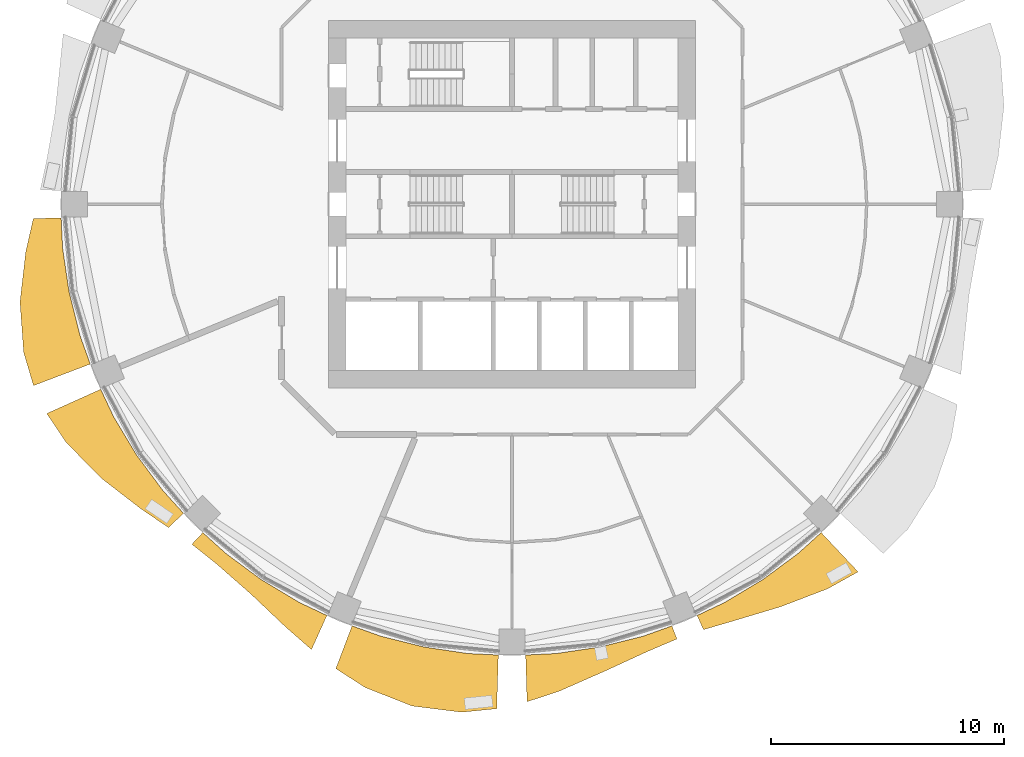
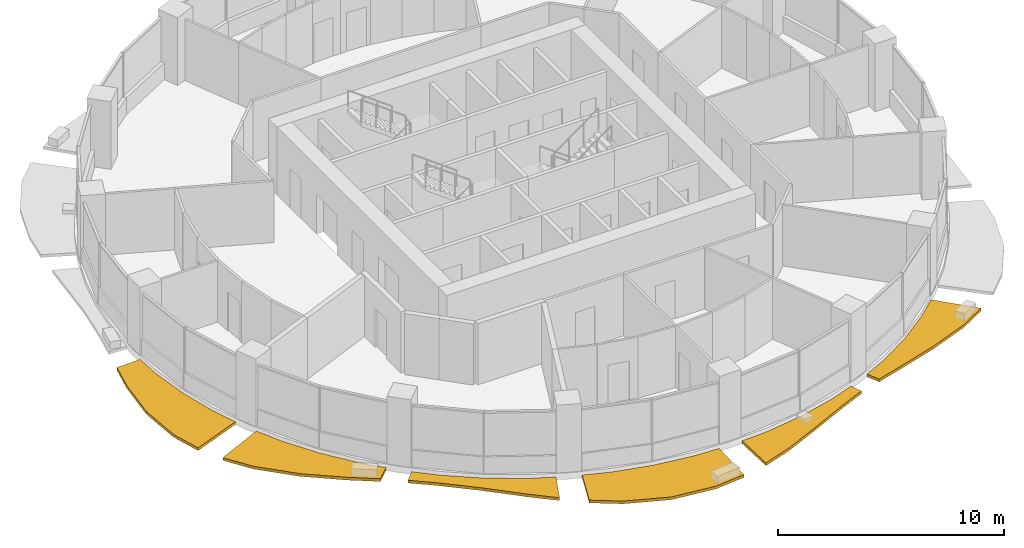
# One storey, part 11 of 14: 6 shading devices.
"""IFC4 building model written with IfcOpenShell, lengths in metres."""

from ifc_helpers import new_model, si_unit, direction, frame, origin, place, context, subcontext, project, spatial, polyline, outline, extrude, material, type_object, element, save


model = new_model("IFC4")

# Units and contexts
model_context = context("Model", 3, precision=1e-05, world=origin(), true_north=direction((0.0, 1.0)))
body_context = subcontext(model_context, "Body", "Model", "MODEL_VIEW")
ifc_project = project(units=[si_unit("LENGTHUNIT", "METRE"), si_unit("AREAUNIT", "SQUARE_METRE"), si_unit("VOLUMEUNIT", "CUBIC_METRE"), si_unit("PLANEANGLEUNIT", "RADIAN"), si_unit("MASSUNIT", "GRAM", prefix="KILO")], contexts=[model_context])

# Site, building, storey
site_placement = place(None, origin())
site = spatial("IfcSite", under=ifc_project, at=site_placement, CompositionType="ELEMENT")
building_placement = place(site_placement, origin())
building = spatial("IfcBuilding", under=site, at=building_placement, Name="Polderwave Tower", CompositionType="ELEMENT")
storey_placement = place(building_placement, frame((0.0, 0.0, 91.0)))
storey = spatial("IfcBuildingStorey", under=building, at=storey_placement, Name="L23", CompositionType="ELEMENT", Elevation=91.0)

# Shading devices
ifc_material = material(Name="Terracotta", Category="masonry")
shading_device_type = type_object("IfcShadingDeviceType", Name="Terracotta sunshade band", PredefinedType="USERDEFINED", material=ifc_material)
shading_device_1_placement = place(storey_placement, frame((0.0, 0.0, -0.35009765625)))
element("IfcShadingDevice", 1, at=shading_device_1_placement, inside=storey, type_object=shading_device_type, Name="Sunshade band L23 9", ObjectType="SUNSHADE", PredefinedType="USERDEFINED", context=body_context, shape_type="SweptSolid", body=[
    extrude(outline(polyline([(-19.3212890625, -0.583984375), (-19.2568359375, -1.896484375), (-18.978271484375, -3.77490234375), (-18.516845703125, -5.616943359375), (-18.073974609375, -6.8544921875), (-20.5048828125, -7.776611328125), (-20.92822265625, -6.348388671875), (-21.083984375, -4.19384765625), (-20.8388671875, -2.052490234375), (-20.5146484375, -0.6201171875), (-19.3212890625, -0.583984375)])), origin(), (0.0, 0.0, 1.0), 0.150146484375),
])
shading_device_2_placement = place(storey_placement, frame((0.0, 0.0, -0.35009765625)))
element("IfcShadingDevice", 2, at=shading_device_2_placement, inside=storey, type_object=shading_device_type, Name="Sunshade band L23 10", ObjectType="SUNSHADE", PredefinedType="USERDEFINED", context=body_context, shape_type="SweptSolid", body=[
    extrude(outline(polyline([(-17.627197265625, -7.933349609375), (-17.065185546875, -9.12158203125), (-16.0888671875, -10.750244140625), (-14.957763671875, -12.275390625), (-14.0751953125, -13.24951171875), (-14.722900390625, -13.859130859375), (-15.906005859375, -13.0537109375), (-17.58984375, -11.753173828125), (-19.106201171875, -10.21240234375), (-19.937255859375, -8.97314453125), (-17.627197265625, -7.933349609375)])), origin(), (0.0, 0.0, 1.0), 0.150146484375),
])
shading_device_3_placement = place(storey_placement, frame((0.0, 0.0, -0.35009765625)))
element("IfcShadingDevice", 3, at=shading_device_3_placement, inside=storey, type_object=shading_device_type, Name="Sunshade band L23 11", ObjectType="SUNSHADE", PredefinedType="USERDEFINED", context=body_context, shape_type="SweptSolid", body=[
    extrude(outline(polyline([(-13.24951171875, -14.0751953125), (-12.275390625, -14.957763671875), (-10.750244140625, -16.0888671875), (-9.12158203125, -17.065185546875), (-7.933349609375, -17.627197265625), (-8.592041015625, -19.090576171875), (-9.69091796875, -18.13037109375), (-11.174072265625, -16.72314453125), (-12.65625, -15.421630859375), (-13.7197265625, -14.57470703125), (-13.24951171875, -14.0751953125)])), origin(), (0.0, 0.0, 1.0), 0.150146484375),
])
shading_device_4_placement = place(storey_placement, frame((0.0, 0.0, -0.35009765625)))
element("IfcShadingDevice", 4, at=shading_device_4_placement, inside=storey, type_object=shading_device_type, Name="Sunshade band L23 12", ObjectType="SUNSHADE", PredefinedType="USERDEFINED", context=body_context, shape_type="SweptSolid", body=[
    extrude(outline(polyline([(-6.8544921875, -18.073974609375), (-5.616943359375, -18.516845703125), (-3.77490234375, -18.978271484375), (-1.896484375, -19.2568359375), (-0.583984375, -19.3212890625), (-0.653564453125, -21.6240234375), (-2.144287109375, -21.7724609375), (-4.278076171875, -21.50732421875), (-6.28466796875, -20.717529296875), (-7.54931640625, -19.90576171875), (-6.8544921875, -18.073974609375)])), origin(), (0.0, 0.0, 1.0), 0.150146484375),
])
shading_device_5_placement = place(storey_placement, frame((0.0, 0.0, -0.35009765625)))
element("IfcShadingDevice", 5, at=shading_device_5_placement, inside=storey, type_object=shading_device_type, Name="Sunshade band L23 13", ObjectType="SUNSHADE", PredefinedType="USERDEFINED", context=body_context, shape_type="SweptSolid", body=[
    extrude(outline(polyline([(0.583984375, -19.3212890625), (1.896484375, -19.2568359375), (3.77490234375, -18.978271484375), (5.616943359375, -18.516845703125), (6.8544921875, -18.073974609375), (7.0673828125, -18.635009765625), (5.814453125, -19.16748046875), (3.98046875, -20.010986328125), (2.054443359375, -20.859375), (0.64453125, -21.326416015625), (0.583984375, -19.3212890625)])), origin(), (0.0, 0.0, 1.0), 0.150146484375),
])
shading_device_6_placement = place(storey_placement, frame((0.0, 0.0, -0.35009765625)))
element("IfcShadingDevice", 6, at=shading_device_6_placement, inside=storey, type_object=shading_device_type, Name="Sunshade band L23 14", ObjectType="SUNSHADE", PredefinedType="USERDEFINED", context=body_context, shape_type="SweptSolid", body=[
    extrude(outline(polyline([(7.933349609375, -17.627197265625), (9.12158203125, -17.065185546875), (10.750244140625, -16.0888671875), (12.275390625, -14.957763671875), (13.24951171875, -14.0751953125), (14.8330078125, -15.757568359375), (13.527099609375, -16.48291015625), (11.525146484375, -17.248779296875), (9.5390625, -17.84619140625), (8.20703125, -18.235107421875), (7.933349609375, -17.627197265625)])), origin(), (0.0, 0.0, 1.0), 0.150146484375),
])

save(model, "model.ifc")
